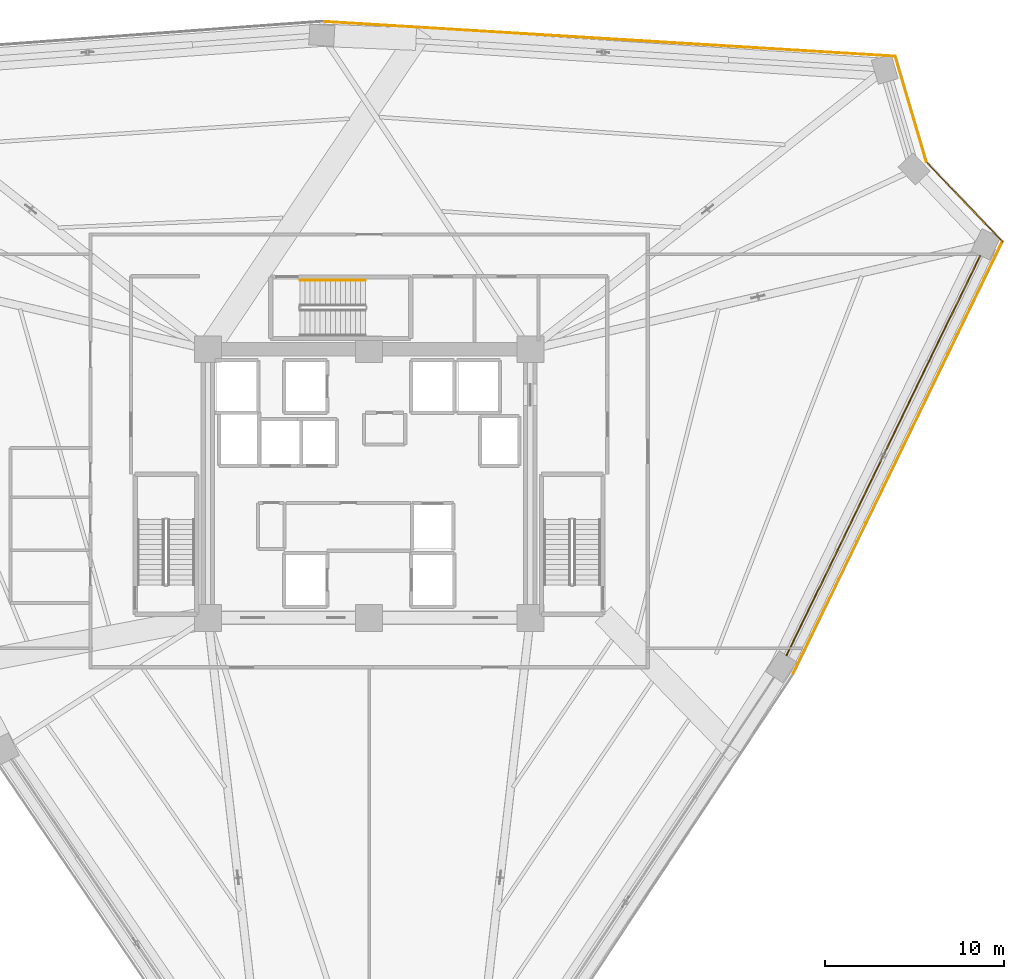
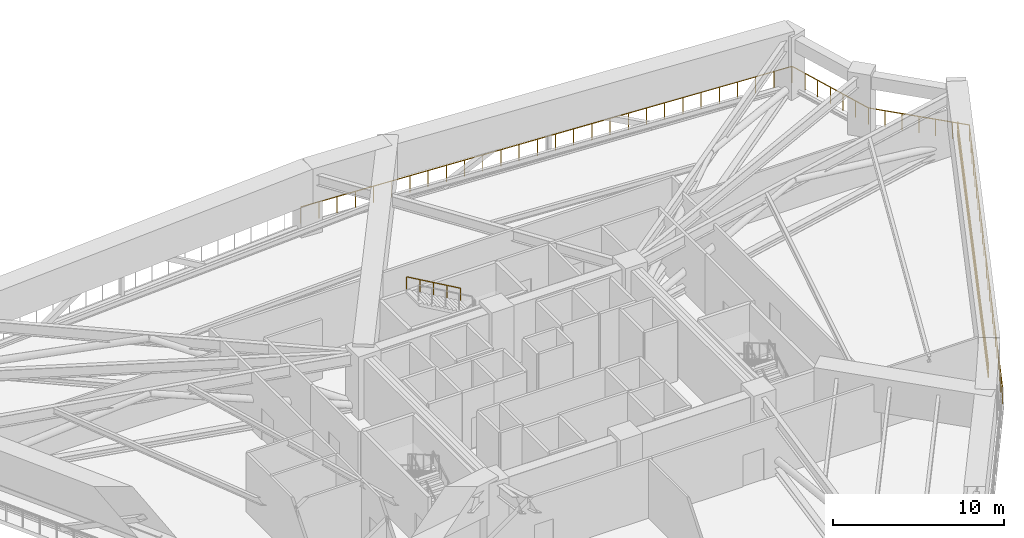
# One storey, part 27 of 27: 5 railings, 2 shading devices.
"""IFC4 building model written with IfcOpenShell, lengths in metres."""

from ifc_helpers import new_model, si_unit, direction, frame, origin, origin_2d, place, context, subcontext, project, spatial, rectangle, extrude, source, transform, mapped, material, material_profile, profile_set, type_object, element, save


model = new_model("IFC4")

# Units and contexts
model_context = context("Model", 3, precision=1e-05, world=origin(), true_north=direction((0.0, 1.0)))
body_context = subcontext(model_context, "Body", "Model", "MODEL_VIEW")
ifc_project = project(units=[si_unit("LENGTHUNIT", "METRE"), si_unit("AREAUNIT", "SQUARE_METRE"), si_unit("VOLUMEUNIT", "CUBIC_METRE"), si_unit("PLANEANGLEUNIT", "RADIAN"), si_unit("MASSUNIT", "GRAM", prefix="KILO")], contexts=[model_context])

# Site, building, storey
site_placement = place(None, origin())
site = spatial("IfcSite", under=ifc_project, at=site_placement, CompositionType="ELEMENT")
building_placement = place(site_placement, origin())
building = spatial("IfcBuilding", under=site, at=building_placement, Name="Liaohun Quay Tower", CompositionType="ELEMENT")
storey_placement = place(building_placement, frame((0.0, 0.0, 185.25)))
storey = spatial("IfcBuildingStorey", under=building, at=storey_placement, Name="L48", CompositionType="ELEMENT", Elevation=185.25)

# Railings
ifc_material_1 = material(Name="Galvanised and powder-coated steel", Category="steel")
railing_type_1 = type_object("IfcRailingType", Name="RLG-GUARD-EXT", PredefinedType="GUARDRAIL", material=ifc_material_1)
railing_1_placement = place(storey_placement, frame((57.35107421875, 79.804931640625, 0.0)))
element("IfcRailing", 1, at=railing_1_placement, inside=storey, type_object=railing_type_1, Name="L48 Open Refuge Band Perimeter Guardrail 06", PredefinedType="GUARDRAIL", context=body_context, shape_type="SweptSolid", body=[
    extrude(rectangle(XDim=0.048095703125, YDim=0.048095703125, at=origin_2d()), frame((0.0, 0.0, 1.17578125), z_axis=(0.998160885805, -0.060620508488, 0.0), x_axis=(0.060620508488, 0.998160885805, 0.0)), (0.0, 0.0, 1.0), 32.08203125),
    extrude(rectangle(XDim=0.0419921875, YDim=0.0419921875, at=origin_2d()), origin(), (0.0, 0.0, 1.0), 1.15185546875),
    extrude(rectangle(XDim=0.0419921875, YDim=0.0419921875, at=origin_2d()), frame((1.18603515625, -0.072021484375, 0.0)), (0.0, 0.0, 1.0), 1.15185546875),
    extrude(rectangle(XDim=0.0419921875, YDim=0.0419921875, at=origin_2d()), frame((2.3720703125, -0.14404296875, 0.0)), (0.0, 0.0, 1.0), 1.15185546875),
    extrude(rectangle(XDim=0.0419921875, YDim=0.0419921875, at=origin_2d()), frame((3.55810546875, -0.216064453125, 0.0)), (0.0, 0.0, 1.0), 1.15185546875),
    extrude(rectangle(XDim=0.0419921875, YDim=0.0419921875, at=origin_2d()), frame((4.744140625, -0.2880859375, 0.0)), (0.0, 0.0, 1.0), 1.15185546875),
    extrude(rectangle(XDim=0.0419921875, YDim=0.0419921875, at=origin_2d()), frame((5.93017578125, -0.360107421875, 0.0)), (0.0, 0.0, 1.0), 1.15185546875),
    extrude(rectangle(XDim=0.0419921875, YDim=0.0419921875, at=origin_2d()), frame((7.1162109375, -0.43212890625, 0.0)), (0.0, 0.0, 1.0), 1.15185546875),
    extrude(rectangle(XDim=0.0419921875, YDim=0.0419921875, at=origin_2d()), frame((8.30224609375, -0.504150390625, 0.0)), (0.0, 0.0, 1.0), 1.15185546875),
    extrude(rectangle(XDim=0.0419921875, YDim=0.0419921875, at=origin_2d()), frame((9.48828125, -0.576171875, 0.0)), (0.0, 0.0, 1.0), 1.15185546875),
    extrude(rectangle(XDim=0.0419921875, YDim=0.0419921875, at=origin_2d()), frame((10.67431640625, -0.648193359375, 0.0)), (0.0, 0.0, 1.0), 1.15185546875),
    extrude(rectangle(XDim=0.0419921875, YDim=0.0419921875, at=origin_2d()), frame((11.8603515625, -0.72021484375, 0.0)), (0.0, 0.0, 1.0), 1.15185546875),
    extrude(rectangle(XDim=0.0419921875, YDim=0.0419921875, at=origin_2d()), frame((13.04638671875, -0.792236328125, 0.0)), (0.0, 0.0, 1.0), 1.15185546875),
    extrude(rectangle(XDim=0.0419921875, YDim=0.0419921875, at=origin_2d()), frame((14.232421875, -0.8642578125, 0.0)), (0.0, 0.0, 1.0), 1.15185546875),
    extrude(rectangle(XDim=0.0419921875, YDim=0.0419921875, at=origin_2d()), frame((15.41845703125, -0.936279296875, 0.0)), (0.0, 0.0, 1.0), 1.15185546875),
    extrude(rectangle(XDim=0.0419921875, YDim=0.0419921875, at=origin_2d()), frame((16.6044921875, -1.008544921875, 0.0)), (0.0, 0.0, 1.0), 1.15185546875),
    extrude(rectangle(XDim=0.0419921875, YDim=0.0419921875, at=origin_2d()), frame((17.79052734375, -1.08056640625, 0.0)), (0.0, 0.0, 1.0), 1.15185546875),
    extrude(rectangle(XDim=0.0419921875, YDim=0.0419921875, at=origin_2d()), frame((18.9765625, -1.152587890625, 0.0)), (0.0, 0.0, 1.0), 1.15185546875),
    extrude(rectangle(XDim=0.0419921875, YDim=0.0419921875, at=origin_2d()), frame((20.16259765625, -1.224609375, 0.0)), (0.0, 0.0, 1.0), 1.15185546875),
    extrude(rectangle(XDim=0.0419921875, YDim=0.0419921875, at=origin_2d()), frame((21.3486328125, -1.296630859375, 0.0)), (0.0, 0.0, 1.0), 1.15185546875),
    extrude(rectangle(XDim=0.0419921875, YDim=0.0419921875, at=origin_2d()), frame((22.53466796875, -1.36865234375, 0.0)), (0.0, 0.0, 1.0), 1.15185546875),
    extrude(rectangle(XDim=0.0419921875, YDim=0.0419921875, at=origin_2d()), frame((23.720703125, -1.440673828125, 0.0)), (0.0, 0.0, 1.0), 1.15185546875),
    extrude(rectangle(XDim=0.0419921875, YDim=0.0419921875, at=origin_2d()), frame((24.90673828125, -1.5126953125, 0.0)), (0.0, 0.0, 1.0), 1.15185546875),
    extrude(rectangle(XDim=0.0419921875, YDim=0.0419921875, at=origin_2d()), frame((26.0927734375, -1.584716796875, 0.0)), (0.0, 0.0, 1.0), 1.15185546875),
    extrude(rectangle(XDim=0.0419921875, YDim=0.0419921875, at=origin_2d()), frame((27.27880859375, -1.65673828125, 0.0)), (0.0, 0.0, 1.0), 1.15185546875),
    extrude(rectangle(XDim=0.0419921875, YDim=0.0419921875, at=origin_2d()), frame((28.46484375, -1.728759765625, 0.0)), (0.0, 0.0, 1.0), 1.15185546875),
    extrude(rectangle(XDim=0.0419921875, YDim=0.0419921875, at=origin_2d()), frame((29.65087890625, -1.80078125, 0.0)), (0.0, 0.0, 1.0), 1.15185546875),
    extrude(rectangle(XDim=0.0419921875, YDim=0.0419921875, at=origin_2d()), frame((30.8369140625, -1.872802734375, 0.0)), (0.0, 0.0, 1.0), 1.15185546875),
    extrude(rectangle(XDim=0.0419921875, YDim=0.0419921875, at=origin_2d()), frame((32.02294921875, -1.94482421875, 0.0)), (0.0, 0.0, 1.0), 1.15185546875),
])
railing_2_placement = place(storey_placement, frame((89.3740234375, 77.860107421875, 0.0)))
element("IfcRailing", 2, at=railing_2_placement, inside=storey, type_object=railing_type_1, Name="L48 Open Refuge Band Perimeter Guardrail 07", PredefinedType="GUARDRAIL", context=body_context, shape_type="SweptSolid", body=[
    extrude(rectangle(XDim=0.048095703125, YDim=0.048095703125, at=origin_2d()), frame((0.0, 0.0, 1.17578125), z_axis=(0.282845602093, -0.959165452556, 0.0), x_axis=(0.959165452556, 0.282845602093, 0.0)), (0.0, 0.0, 1.0), 6.148193359375),
    extrude(rectangle(XDim=0.0419921875, YDim=0.0419921875, at=origin_2d()), origin(), (0.0, 0.0, 1.0), 1.15185546875),
    extrude(rectangle(XDim=0.0419921875, YDim=0.0419921875, at=origin_2d()), frame((0.289794921875, -0.98291015625, 0.0)), (0.0, 0.0, 1.0), 1.15185546875),
    extrude(rectangle(XDim=0.0419921875, YDim=0.0419921875, at=origin_2d()), frame((0.57958984375, -1.9658203125, 0.0)), (0.0, 0.0, 1.0), 1.15185546875),
    extrude(rectangle(XDim=0.0419921875, YDim=0.0419921875, at=origin_2d()), frame((0.86962890625, -2.94873046875, 0.0)), (0.0, 0.0, 1.0), 1.15185546875),
    extrude(rectangle(XDim=0.0419921875, YDim=0.0419921875, at=origin_2d()), frame((1.159423828125, -3.931396484375, 0.0)), (0.0, 0.0, 1.0), 1.15185546875),
    extrude(rectangle(XDim=0.0419921875, YDim=0.0419921875, at=origin_2d()), frame((1.44921875, -4.914306640625, 0.0)), (0.0, 0.0, 1.0), 1.15185546875),
    extrude(rectangle(XDim=0.0419921875, YDim=0.0419921875, at=origin_2d()), frame((1.739013671875, -5.897216796875, 0.0)), (0.0, 0.0, 1.0), 1.15185546875),
])
railing_3_placement = place(storey_placement, frame((91.113037109375, 71.962890625, 0.0)))
element("IfcRailing", 3, at=railing_3_placement, inside=storey, type_object=railing_type_1, Name="L48 Open Refuge Band Perimeter Guardrail 08", PredefinedType="GUARDRAIL", context=body_context, shape_type="SweptSolid", body=[
    extrude(rectangle(XDim=0.048095703125, YDim=0.048095703125, at=origin_2d()), frame((0.0, 0.0, 1.17578125), z_axis=(0.68933680692, -0.72444100286, 0.0), x_axis=(0.72444100286, 0.68933680692, 0.0)), (0.0, 0.0, 1.0), 6.14794921875),
    extrude(rectangle(XDim=0.0419921875, YDim=0.0419921875, at=origin_2d()), origin(), (0.0, 0.0, 1.0), 1.15185546875),
    extrude(rectangle(XDim=0.0419921875, YDim=0.0419921875, at=origin_2d()), frame((0.706298828125, -0.7421875, 0.0)), (0.0, 0.0, 1.0), 1.15185546875),
    extrude(rectangle(XDim=0.0419921875, YDim=0.0419921875, at=origin_2d()), frame((1.41259765625, -1.484619140625, 0.0)), (0.0, 0.0, 1.0), 1.15185546875),
    extrude(rectangle(XDim=0.0419921875, YDim=0.0419921875, at=origin_2d()), frame((2.119140625, -2.22705078125, 0.0)), (0.0, 0.0, 1.0), 1.15185546875),
    extrude(rectangle(XDim=0.0419921875, YDim=0.0419921875, at=origin_2d()), frame((2.825439453125, -2.96923828125, 0.0)), (0.0, 0.0, 1.0), 1.15185546875),
    extrude(rectangle(XDim=0.0419921875, YDim=0.0419921875, at=origin_2d()), frame((3.53173828125, -3.71142578125, 0.0)), (0.0, 0.0, 1.0), 1.15185546875),
    extrude(rectangle(XDim=0.0419921875, YDim=0.0419921875, at=origin_2d()), frame((4.238037109375, -4.453857421875, 0.0)), (0.0, 0.0, 1.0), 1.15185546875),
])
railing_4_placement = place(storey_placement, frame((95.35107421875, 67.509033203125, 0.0)))
element("IfcRailing", 4, at=railing_4_placement, inside=storey, type_object=railing_type_1, Name="L48 Open Refuge Band Perimeter Guardrail 09", PredefinedType="GUARDRAIL", context=body_context, shape_type="SweptSolid", body=[
    extrude(rectangle(XDim=0.048095703125, YDim=0.048095703125, at=origin_2d()), frame((0.0, 0.0, 1.17578125), z_axis=(-0.435847160208, -0.900020695839, 0.0), x_axis=(0.900020695839, -0.435847160208, 0.0)), (0.0, 0.0, 1.0), 26.7958984375),
    extrude(rectangle(XDim=0.0419921875, YDim=0.0419921875, at=origin_2d()), origin(), (0.0, 0.0, 1.0), 1.15185546875),
    extrude(rectangle(XDim=0.0419921875, YDim=0.0419921875, at=origin_2d()), frame((-0.5078125, -1.048583984375, 0.0)), (0.0, 0.0, 1.0), 1.15185546875),
    extrude(rectangle(XDim=0.0419921875, YDim=0.0419921875, at=origin_2d()), frame((-1.015625, -2.09716796875, 0.0)), (0.0, 0.0, 1.0), 1.15185546875),
    extrude(rectangle(XDim=0.0419921875, YDim=0.0419921875, at=origin_2d()), frame((-1.5234375, -3.145751953125, 0.0)), (0.0, 0.0, 1.0), 1.15185546875),
    extrude(rectangle(XDim=0.0419921875, YDim=0.0419921875, at=origin_2d()), frame((-2.031005859375, -4.1943359375, 0.0)), (0.0, 0.0, 1.0), 1.15185546875),
    extrude(rectangle(XDim=0.0419921875, YDim=0.0419921875, at=origin_2d()), frame((-2.538818359375, -5.242919921875, 0.0)), (0.0, 0.0, 1.0), 1.15185546875),
    extrude(rectangle(XDim=0.0419921875, YDim=0.0419921875, at=origin_2d()), frame((-3.046630859375, -6.291259765625, 0.0)), (0.0, 0.0, 1.0), 1.15185546875),
    extrude(rectangle(XDim=0.0419921875, YDim=0.0419921875, at=origin_2d()), frame((-3.554443359375, -7.33984375, 0.0)), (0.0, 0.0, 1.0), 1.15185546875),
    extrude(rectangle(XDim=0.0419921875, YDim=0.0419921875, at=origin_2d()), frame((-4.062255859375, -8.388427734375, 0.0)), (0.0, 0.0, 1.0), 1.15185546875),
    extrude(rectangle(XDim=0.0419921875, YDim=0.0419921875, at=origin_2d()), frame((-4.570068359375, -9.43701171875, 0.0)), (0.0, 0.0, 1.0), 1.15185546875),
    extrude(rectangle(XDim=0.0419921875, YDim=0.0419921875, at=origin_2d()), frame((-5.077880859375, -10.485595703125, 0.0)), (0.0, 0.0, 1.0), 1.15185546875),
    extrude(rectangle(XDim=0.0419921875, YDim=0.0419921875, at=origin_2d()), frame((-5.585693359375, -11.5341796875, 0.0)), (0.0, 0.0, 1.0), 1.15185546875),
    extrude(rectangle(XDim=0.0419921875, YDim=0.0419921875, at=origin_2d()), frame((-6.09326171875, -12.582763671875, 0.0)), (0.0, 0.0, 1.0), 1.15185546875),
    extrude(rectangle(XDim=0.0419921875, YDim=0.0419921875, at=origin_2d()), frame((-6.60107421875, -13.63134765625, 0.0)), (0.0, 0.0, 1.0), 1.15185546875),
    extrude(rectangle(XDim=0.0419921875, YDim=0.0419921875, at=origin_2d()), frame((-7.10888671875, -14.679931640625, 0.0)), (0.0, 0.0, 1.0), 1.15185546875),
    extrude(rectangle(XDim=0.0419921875, YDim=0.0419921875, at=origin_2d()), frame((-7.61669921875, -15.728515625, 0.0)), (0.0, 0.0, 1.0), 1.15185546875),
    extrude(rectangle(XDim=0.0419921875, YDim=0.0419921875, at=origin_2d()), frame((-8.12451171875, -16.777099609375, 0.0)), (0.0, 0.0, 1.0), 1.15185546875),
    extrude(rectangle(XDim=0.0419921875, YDim=0.0419921875, at=origin_2d()), frame((-8.63232421875, -17.82568359375, 0.0)), (0.0, 0.0, 1.0), 1.15185546875),
    extrude(rectangle(XDim=0.0419921875, YDim=0.0419921875, at=origin_2d()), frame((-9.14013671875, -18.8740234375, 0.0)), (0.0, 0.0, 1.0), 1.15185546875),
    extrude(rectangle(XDim=0.0419921875, YDim=0.0419921875, at=origin_2d()), frame((-9.64794921875, -19.922607421875, 0.0)), (0.0, 0.0, 1.0), 1.15185546875),
    extrude(rectangle(XDim=0.0419921875, YDim=0.0419921875, at=origin_2d()), frame((-10.155517578125, -20.97119140625, 0.0)), (0.0, 0.0, 1.0), 1.15185546875),
    extrude(rectangle(XDim=0.0419921875, YDim=0.0419921875, at=origin_2d()), frame((-10.663330078125, -22.019775390625, 0.0)), (0.0, 0.0, 1.0), 1.15185546875),
    extrude(rectangle(XDim=0.0419921875, YDim=0.0419921875, at=origin_2d()), frame((-11.171142578125, -23.068359375, 0.0)), (0.0, 0.0, 1.0), 1.15185546875),
    extrude(rectangle(XDim=0.0419921875, YDim=0.0419921875, at=origin_2d()), frame((-11.678955078125, -24.116943359375, 0.0)), (0.0, 0.0, 1.0), 1.15185546875),
])
ifc_material_2 = material(Name="Brushed stainless steel", Category="steel")
railing_type_2 = type_object("IfcRailingType", Name="RLG-HND-STR", PredefinedType="HANDRAIL", material=ifc_material_2)
railing_5_placement = place(storey_placement, frame((59.7900390625, 65.360107421875, 2.41064453125)))
element("IfcRailing", 5, at=railing_5_placement, inside=storey, type_object=railing_type_2, Name="L48 ST-3 stair handrail 2", PredefinedType="HANDRAIL", context=body_context, shape_type="SweptSolid", body=[
    extrude(rectangle(XDim=0.048095703125, YDim=0.048095703125, at=origin_2d()), frame((0.0, 0.0, 0.8759765625), z_axis=(-0.867289372828, 0.0, 0.497804322781), x_axis=(0.0, -1.0, 0.0)), (0.0, 0.0, 1.0), 4.197021484375),
    extrude(rectangle(XDim=0.0419921875, YDim=0.0419921875, at=origin_2d()), origin(), (0.0, 0.0, 1.0), 0.851806640625),
    extrude(rectangle(XDim=0.0419921875, YDim=0.0419921875, at=origin_2d()), frame((-0.91015625, 0.0, 0.5224609375)), (0.0, 0.0, 1.0), 0.851806640625),
    extrude(rectangle(XDim=0.0419921875, YDim=0.0419921875, at=origin_2d()), frame((-1.820068359375, 0.0, 1.044677734375)), (0.0, 0.0, 1.0), 0.851806640625),
    extrude(rectangle(XDim=0.0419921875, YDim=0.0419921875, at=origin_2d()), frame((-2.72998046875, 0.0, 1.56689453125)), (0.0, 0.0, 1.0), 0.851806640625),
    extrude(rectangle(XDim=0.0419921875, YDim=0.0419921875, at=origin_2d()), frame((-3.64013671875, 0.0, 2.08935546875)), (0.0, 0.0, 1.0), 0.851806640625),
])

# Shading devices
ifc_material_3 = material(Name="Fluorocarbon-coated aluminium", Category="aluminium")
ifc_material_profile = material_profile(ifc_material_3, rectangle(XDim=0.06494140625, YDim=0.320068359375, at=origin_2d()), Name="ALU-LVR-320x65")
ifc_profile_set = profile_set([ifc_material_profile], Name="Fluorocarbon-coated aluminium")
shading_device_type = type_object("IfcShadingDeviceType", Name="SHD-LVR-REF", PredefinedType="USERDEFINED", material=ifc_profile_set)
shared_shape = source(origin(), body_context, "Body", "SweptSolid", [
    extrude(rectangle(XDim=0.06494140625, YDim=0.320068359375, at=origin_2d()), origin(), (0.0, 0.0, 1.0), 24.830810546875),
])
for number, where, z_axis, x_axis, name in (
    (6, (94.1240234375, 66.743896484375, 1.550048828125), (-0.435791696433, -0.90004755281, 0.0), (0.90004755281, -0.435791696433, 0.0), "L48 Refuge Plant Acoustic Louvre Blade LV-1-05"),
    (7, (94.1240234375, 66.743896484375, 2.14990234375), (-0.435791696433, -0.90004755281, 0.0), (0.90004755281, -0.435791696433, 0.0), "L48 Refuge Plant Acoustic Louvre Blade LV-1-06"),
):
    element("IfcShadingDevice", number, at=place(storey_placement, frame(where, z_axis=z_axis, x_axis=x_axis)), inside=storey, type_object=shading_device_type, Name=name, ObjectType="LOUVRE", PredefinedType="USERDEFINED", context=body_context, shape_type="MappedRepresentation", body=[
        mapped(shared_shape, transform((0.0, 0.0, 0.0), x_axis=(1.0, 0.0, 0.0), y_axis=(0.0, 1.0, 0.0), z_axis=(0.0, 0.0, 1.0), scale=1.0)),
    ])

save(model, "model.ifc")
